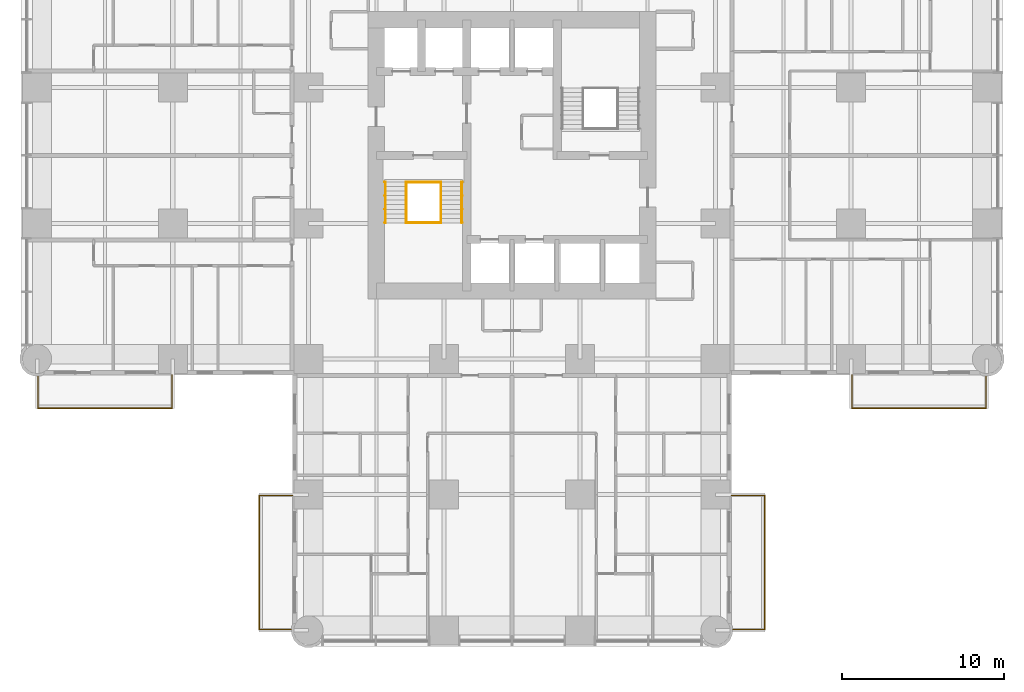
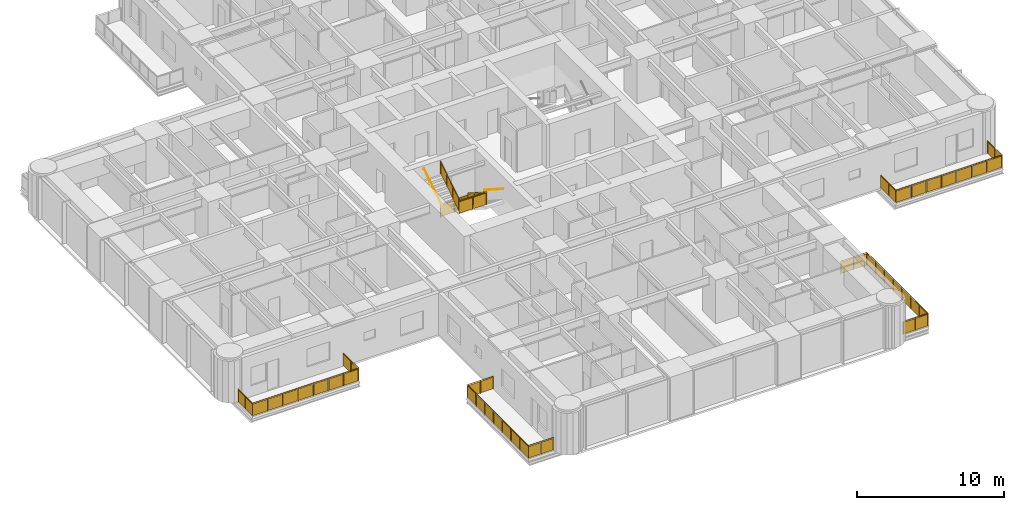
# One storey, part 16 of 17: 10 railings.
"""IFC4 building model written with IfcOpenShell, lengths in metres."""

from ifc_helpers import new_model, si_unit, direction, frame, origin, origin_2d, place, context, subcontext, project, spatial, polyline, circle, outline, extrude, material, constituent, constituent_set, type_object, element, save


model = new_model("IFC4")

# Units and contexts
model_context = context("Model", 3, precision=1e-05, world=origin(), true_north=direction((0.0, 1.0)))
body_context = subcontext(model_context, "Body", "Model", "MODEL_VIEW")
ifc_project = project(units=[si_unit("LENGTHUNIT", "METRE"), si_unit("AREAUNIT", "SQUARE_METRE"), si_unit("VOLUMEUNIT", "CUBIC_METRE"), si_unit("PLANEANGLEUNIT", "RADIAN"), si_unit("MASSUNIT", "GRAM", prefix="KILO")], contexts=[model_context])

# Site, building, storey
site_placement = place(None, origin())
site = spatial("IfcSite", under=ifc_project, at=site_placement, CompositionType="ELEMENT")
building_placement = place(site_placement, origin())
building = spatial("IfcBuilding", under=site, at=building_placement, Name="Torre Alcanfor", CompositionType="ELEMENT")
storey_placement = place(building_placement, frame((0.0, 0.0, 63.300048828125)))
storey = spatial("IfcBuildingStorey", under=building, at=storey_placement, Name="L15", CompositionType="ELEMENT", Elevation=63.300048828125)

# Railings
ifc_material_1 = material(Name="Laminated safety glass", Category="glass")
ifc_constituent_1 = constituent(ifc_material_1, Name="Infill")
ifc_material_2 = material(Name="Stainless steel ASTM A554 Grade MT 316L tube", Category="steel")
ifc_constituent_2 = constituent(ifc_material_2, Name="Posts and rail")
ifc_constituent_set = constituent_set(constituents=[ifc_constituent_1, ifc_constituent_2], Name="Balcony guard glass 1100")
railing_type_1 = type_object("IfcRailingType", Name="Balcony guard glass 1100", PredefinedType="BALUSTRADE", material=ifc_constituent_set)
railing_1_placement = place(storey_placement, frame((50.449951171875, 15.800048828125, 0.0)))
element("IfcRailing", 1, at=railing_1_placement, inside=storey, type_object=railing_type_1, Name="Balcony guard L15-E2", PredefinedType="BALUSTRADE", context=body_context, shape_type="SweptSolid", body=[
    extrude(circle(Radius=0.02392578125, at=origin_2d()), frame((0.0, 0.0, 1.076171875), z_axis=(0.0, -1.0, 0.0), x_axis=(1.0, 0.0, 0.0)), (0.0, 0.0, 1.0), 2.050048828125),
    extrude(circle(Radius=0.02392578125, at=origin_2d()), frame((0.0, -2.050048828125, 1.076171875), z_axis=(1.0, 0.0, 0.0), x_axis=(0.0, 1.0, 0.0)), (0.0, 0.0, 1.0), 8.300048828125),
    extrude(circle(Radius=0.02392578125, at=origin_2d()), frame((8.300048828125, -2.050048828125, 1.076171875), z_axis=(0.0, 1.0, 0.0), x_axis=(-1.0, 0.0, 0.0)), (0.0, 0.0, 1.0), 1.968994140625),
    extrude(circle(Radius=0.02099609375, at=origin_2d()), origin(), (0.0, 0.0, 1.0), 1.052001953125),
    extrude(circle(Radius=0.02099609375, at=origin_2d()), frame((0.0, -1.02490234375, 0.0)), (0.0, 0.0, 1.0), 1.052001953125),
    extrude(circle(Radius=0.02099609375, at=origin_2d()), frame((0.0, -2.050048828125, 0.0)), (0.0, 0.0, 1.0), 1.052001953125),
    extrude(circle(Radius=0.02099609375, at=origin_2d()), frame((1.185791015625, -2.050048828125, 0.0)), (0.0, 0.0, 1.0), 1.052001953125),
    extrude(circle(Radius=0.02099609375, at=origin_2d()), frame((2.371337890625, -2.050048828125, 0.0)), (0.0, 0.0, 1.0), 1.052001953125),
    extrude(circle(Radius=0.02099609375, at=origin_2d()), frame((3.55712890625, -2.050048828125, 0.0)), (0.0, 0.0, 1.0), 1.052001953125),
    extrude(circle(Radius=0.02099609375, at=origin_2d()), frame((4.742919921875, -2.050048828125, 0.0)), (0.0, 0.0, 1.0), 1.052001953125),
    extrude(circle(Radius=0.02099609375, at=origin_2d()), frame((5.9287109375, -2.050048828125, 0.0)), (0.0, 0.0, 1.0), 1.052001953125),
    extrude(circle(Radius=0.02099609375, at=origin_2d()), frame((7.1142578125, -2.050048828125, 0.0)), (0.0, 0.0, 1.0), 1.052001953125),
    extrude(circle(Radius=0.02099609375, at=origin_2d()), frame((8.300048828125, -2.050048828125, 0.0)), (0.0, 0.0, 1.0), 1.052001953125),
    extrude(circle(Radius=0.02099609375, at=origin_2d()), frame((8.300048828125, -1.0654296875, 0.0)), (0.0, 0.0, 1.0), 1.052001953125),
    extrude(circle(Radius=0.02099609375, at=origin_2d()), frame((8.300048828125, -0.0810546875, 0.0)), (0.0, 0.0, 1.0), 1.052001953125),
    extrude(outline(polyline([(0.041015625, 0.050048828125), (0.984130859375, 0.050048828125), (0.984130859375, 1.001953125), (0.041015625, 1.001953125), (0.041015625, 0.050048828125)])), frame((0.005859375, 0.0, 0.0), z_axis=(-1.0, 0.0, 0.0), x_axis=(0.0, -1.0, 0.0)), (0.0, 0.0, 1.0), 0.011962890625),
    extrude(outline(polyline([(1.06591796875, 0.050048828125), (2.009033203125, 0.050048828125), (2.009033203125, 1.001953125), (1.06591796875, 1.001953125), (1.06591796875, 0.050048828125)])), frame((0.005859375, 0.0, 0.0), z_axis=(-1.0, 0.0, 0.0), x_axis=(0.0, -1.0, 0.0)), (0.0, 0.0, 1.0), 0.011962890625),
    extrude(outline(polyline([(0.041015625, 0.050048828125), (1.144775390625, 0.050048828125), (1.144775390625, 1.001953125), (0.041015625, 1.001953125), (0.041015625, 0.050048828125)])), frame((0.0, -2.0439453125, 0.0), z_axis=(0.0, -1.0, 0.0), x_axis=(1.0, 0.0, 0.0)), (0.0, 0.0, 1.0), 0.011962890625),
    extrude(outline(polyline([(1.226806640625, 0.050048828125), (2.330322265625, 0.050048828125), (2.330322265625, 1.001953125), (1.226806640625, 1.001953125), (1.226806640625, 0.050048828125)])), frame((0.0, -2.0439453125, 0.0), z_axis=(0.0, -1.0, 0.0), x_axis=(1.0, 0.0, 0.0)), (0.0, 0.0, 1.0), 0.011962890625),
    extrude(outline(polyline([(2.412353515625, 0.050048828125), (3.51611328125, 0.050048828125), (3.51611328125, 1.001953125), (2.412353515625, 1.001953125), (2.412353515625, 0.050048828125)])), frame((0.0, -2.0439453125, 0.0), z_axis=(0.0, -1.0, 0.0), x_axis=(1.0, 0.0, 0.0)), (0.0, 0.0, 1.0), 0.011962890625),
    extrude(outline(polyline([(3.59814453125, 0.050048828125), (4.701904296875, 0.050048828125), (4.701904296875, 1.001953125), (3.59814453125, 1.001953125), (3.59814453125, 0.050048828125)])), frame((0.0, -2.0439453125, 0.0), z_axis=(0.0, -1.0, 0.0), x_axis=(1.0, 0.0, 0.0)), (0.0, 0.0, 1.0), 0.011962890625),
    extrude(outline(polyline([(4.783935546875, 0.050048828125), (5.8876953125, 0.050048828125), (5.8876953125, 1.001953125), (4.783935546875, 1.001953125), (4.783935546875, 0.050048828125)])), frame((0.0, -2.0439453125, 0.0), z_axis=(0.0, -1.0, 0.0), x_axis=(1.0, 0.0, 0.0)), (0.0, 0.0, 1.0), 0.011962890625),
    extrude(outline(polyline([(5.9697265625, 0.050048828125), (7.0732421875, 0.050048828125), (7.0732421875, 1.001953125), (5.9697265625, 1.001953125), (5.9697265625, 0.050048828125)])), frame((0.0, -2.0439453125, 0.0), z_axis=(0.0, -1.0, 0.0), x_axis=(1.0, 0.0, 0.0)), (0.0, 0.0, 1.0), 0.011962890625),
    extrude(outline(polyline([(7.1552734375, 0.050048828125), (8.259033203125, 0.050048828125), (8.259033203125, 1.001953125), (7.1552734375, 1.001953125), (7.1552734375, 0.050048828125)])), frame((0.0, -2.0439453125, 0.0), z_axis=(0.0, -1.0, 0.0), x_axis=(1.0, 0.0, 0.0)), (0.0, 0.0, 1.0), 0.011962890625),
    extrude(outline(polyline([(0.041015625, 0.050048828125), (0.943603515625, 0.050048828125), (0.943603515625, 1.001953125), (0.041015625, 1.001953125), (0.041015625, 0.050048828125)])), frame((8.2939453125, -2.050048828125, 0.0), z_axis=(1.0, 0.0, 0.0), x_axis=(0.0, 1.0, 0.0)), (0.0, 0.0, 1.0), 0.011962890625),
    extrude(outline(polyline([(1.025390625, 0.050048828125), (1.927978515625, 0.050048828125), (1.927978515625, 1.001953125), (1.025390625, 1.001953125), (1.025390625, 0.050048828125)])), frame((8.2939453125, -2.050048828125, 0.0), z_axis=(1.0, 0.0, 0.0), x_axis=(0.0, 1.0, 0.0)), (0.0, 0.0, 1.0), 0.011962890625),
])
railing_2_placement = place(storey_placement, frame((43.0, 8.35009765625, 0.0)))
element("IfcRailing", 2, at=railing_2_placement, inside=storey, type_object=railing_type_1, Name="Balcony guard L15-S1", PredefinedType="BALUSTRADE", context=body_context, shape_type="SweptSolid", body=[
    extrude(circle(Radius=0.02392578125, at=origin_2d()), frame((0.0, 0.0, 1.076171875), z_axis=(1.0, 0.0, 0.0), x_axis=(0.0, 1.0, 0.0)), (0.0, 0.0, 1.0), 2.050048828125),
    extrude(circle(Radius=0.02392578125, at=origin_2d()), frame((2.050048828125, 0.0, 1.076171875), z_axis=(0.0, -1.0, 0.0), x_axis=(1.0, 0.0, 0.0)), (0.0, 0.0, 1.0), 8.300048828125),
    extrude(circle(Radius=0.02392578125, at=origin_2d()), frame((2.050048828125, -8.300048828125, 1.076171875), z_axis=(-1.0, 0.0, 0.0), x_axis=(0.0, -1.0, 0.0)), (0.0, 0.0, 1.0), 1.968994140625),
    extrude(circle(Radius=0.02099609375, at=origin_2d()), origin(), (0.0, 0.0, 1.0), 1.052001953125),
    extrude(circle(Radius=0.02099609375, at=origin_2d()), frame((1.02490234375, 0.0, 0.0)), (0.0, 0.0, 1.0), 1.052001953125),
    extrude(circle(Radius=0.02099609375, at=origin_2d()), frame((2.050048828125, 0.0, 0.0)), (0.0, 0.0, 1.0), 1.052001953125),
    extrude(circle(Radius=0.02099609375, at=origin_2d()), frame((2.050048828125, -1.185791015625, 0.0)), (0.0, 0.0, 1.0), 1.052001953125),
    extrude(circle(Radius=0.02099609375, at=origin_2d()), frame((2.050048828125, -2.371337890625, 0.0)), (0.0, 0.0, 1.0), 1.052001953125),
    extrude(circle(Radius=0.02099609375, at=origin_2d()), frame((2.050048828125, -3.55712890625, 0.0)), (0.0, 0.0, 1.0), 1.052001953125),
    extrude(circle(Radius=0.02099609375, at=origin_2d()), frame((2.050048828125, -4.742919921875, 0.0)), (0.0, 0.0, 1.0), 1.052001953125),
    extrude(circle(Radius=0.02099609375, at=origin_2d()), frame((2.050048828125, -5.9287109375, 0.0)), (0.0, 0.0, 1.0), 1.052001953125),
    extrude(circle(Radius=0.02099609375, at=origin_2d()), frame((2.050048828125, -7.1142578125, 0.0)), (0.0, 0.0, 1.0), 1.052001953125),
    extrude(circle(Radius=0.02099609375, at=origin_2d()), frame((2.050048828125, -8.300048828125, 0.0)), (0.0, 0.0, 1.0), 1.052001953125),
    extrude(circle(Radius=0.02099609375, at=origin_2d()), frame((1.0654296875, -8.300048828125, 0.0)), (0.0, 0.0, 1.0), 1.052001953125),
    extrude(circle(Radius=0.02099609375, at=origin_2d()), frame((0.0810546875, -8.300048828125, 0.0)), (0.0, 0.0, 1.0), 1.052001953125),
    extrude(outline(polyline([(0.041015625, 0.050048828125), (0.984130859375, 0.050048828125), (0.984130859375, 1.001953125), (0.041015625, 1.001953125), (0.041015625, 0.050048828125)])), frame((0.0, 0.005859375, 0.0), z_axis=(0.0, -1.0, 0.0), x_axis=(1.0, 0.0, 0.0)), (0.0, 0.0, 1.0), 0.011962890625),
    extrude(outline(polyline([(1.06591796875, 0.050048828125), (2.009033203125, 0.050048828125), (2.009033203125, 1.001953125), (1.06591796875, 1.001953125), (1.06591796875, 0.050048828125)])), frame((0.0, 0.005859375, 0.0), z_axis=(0.0, -1.0, 0.0), x_axis=(1.0, 0.0, 0.0)), (0.0, 0.0, 1.0), 0.011962890625),
    extrude(outline(polyline([(0.041015625, 0.050048828125), (1.144775390625, 0.050048828125), (1.144775390625, 1.001953125), (0.041015625, 1.001953125), (0.041015625, 0.050048828125)])), frame((2.05615234375, 0.0, 0.0), z_axis=(-1.0, 0.0, 0.0), x_axis=(0.0, -1.0, 0.0)), (0.0, 0.0, 1.0), 0.011962890625),
    extrude(outline(polyline([(1.226806640625, 0.050048828125), (2.330322265625, 0.050048828125), (2.330322265625, 1.001953125), (1.226806640625, 1.001953125), (1.226806640625, 0.050048828125)])), frame((2.05615234375, 0.0, 0.0), z_axis=(-1.0, 0.0, 0.0), x_axis=(0.0, -1.0, 0.0)), (0.0, 0.0, 1.0), 0.011962890625),
    extrude(outline(polyline([(2.412353515625, 0.050048828125), (3.51611328125, 0.050048828125), (3.51611328125, 1.001953125), (2.412353515625, 1.001953125), (2.412353515625, 0.050048828125)])), frame((2.05615234375, 0.0, 0.0), z_axis=(-1.0, 0.0, 0.0), x_axis=(0.0, -1.0, 0.0)), (0.0, 0.0, 1.0), 0.011962890625),
    extrude(outline(polyline([(3.59814453125, 0.050048828125), (4.701904296875, 0.050048828125), (4.701904296875, 1.001953125), (3.59814453125, 1.001953125), (3.59814453125, 0.050048828125)])), frame((2.05615234375, 0.0, 0.0), z_axis=(-1.0, 0.0, 0.0), x_axis=(0.0, -1.0, 0.0)), (0.0, 0.0, 1.0), 0.011962890625),
    extrude(outline(polyline([(4.783935546875, 0.050048828125), (5.8876953125, 0.050048828125), (5.8876953125, 1.001953125), (4.783935546875, 1.001953125), (4.783935546875, 0.050048828125)])), frame((2.05615234375, 0.0, 0.0), z_axis=(-1.0, 0.0, 0.0), x_axis=(0.0, -1.0, 0.0)), (0.0, 0.0, 1.0), 0.011962890625),
    extrude(outline(polyline([(5.9697265625, 0.050048828125), (7.0732421875, 0.050048828125), (7.0732421875, 1.001953125), (5.9697265625, 1.001953125), (5.9697265625, 0.050048828125)])), frame((2.05615234375, 0.0, 0.0), z_axis=(-1.0, 0.0, 0.0), x_axis=(0.0, -1.0, 0.0)), (0.0, 0.0, 1.0), 0.011962890625),
    extrude(outline(polyline([(7.1552734375, 0.050048828125), (8.259033203125, 0.050048828125), (8.259033203125, 1.001953125), (7.1552734375, 1.001953125), (7.1552734375, 0.050048828125)])), frame((2.05615234375, 0.0, 0.0), z_axis=(-1.0, 0.0, 0.0), x_axis=(0.0, -1.0, 0.0)), (0.0, 0.0, 1.0), 0.011962890625),
    extrude(outline(polyline([(0.041015625, 0.050048828125), (0.943603515625, 0.050048828125), (0.943603515625, 1.001953125), (0.041015625, 1.001953125), (0.041015625, 0.050048828125)])), frame((2.050048828125, -8.30615234375, 0.0), z_axis=(0.0, 1.0, 0.0), x_axis=(-1.0, 0.0, 0.0)), (0.0, 0.0, 1.0), 0.011962890625),
    extrude(outline(polyline([(1.025390625, 0.050048828125), (1.927978515625, 0.050048828125), (1.927978515625, 1.001953125), (1.025390625, 1.001953125), (1.025390625, 0.050048828125)])), frame((2.050048828125, -8.30615234375, 0.0), z_axis=(0.0, 1.0, 0.0), x_axis=(-1.0, 0.0, 0.0)), (0.0, 0.0, 1.0), 0.011962890625),
])
railing_3_placement = place(storey_placement, frame((15.800048828125, 8.35009765625, 0.0)))
element("IfcRailing", 3, at=railing_3_placement, inside=storey, type_object=railing_type_1, Name="Balcony guard L15-S2", PredefinedType="BALUSTRADE", context=body_context, shape_type="SweptSolid", body=[
    extrude(circle(Radius=0.02392578125, at=origin_2d()), frame((0.0, 0.0, 1.076171875), z_axis=(-1.0, 0.0, 0.0), x_axis=(0.0, -1.0, 0.0)), (0.0, 0.0, 1.0), 2.050048828125),
    extrude(circle(Radius=0.02392578125, at=origin_2d()), frame((-2.050048828125, 0.0, 1.076171875), z_axis=(0.0, -1.0, 0.0), x_axis=(1.0, 0.0, 0.0)), (0.0, 0.0, 1.0), 8.300048828125),
    extrude(circle(Radius=0.02392578125, at=origin_2d()), frame((-2.050048828125, -8.300048828125, 1.076171875), z_axis=(1.0, 0.0, 0.0), x_axis=(0.0, 1.0, 0.0)), (0.0, 0.0, 1.0), 1.968994140625),
    extrude(circle(Radius=0.02099609375, at=origin_2d()), origin(), (0.0, 0.0, 1.0), 1.052001953125),
    extrude(circle(Radius=0.02099609375, at=origin_2d()), frame((-1.02490234375, 0.0, 0.0)), (0.0, 0.0, 1.0), 1.052001953125),
    extrude(circle(Radius=0.02099609375, at=origin_2d()), frame((-2.050048828125, 0.0, 0.0)), (0.0, 0.0, 1.0), 1.052001953125),
    extrude(circle(Radius=0.02099609375, at=origin_2d()), frame((-2.050048828125, -1.185791015625, 0.0)), (0.0, 0.0, 1.0), 1.052001953125),
    extrude(circle(Radius=0.02099609375, at=origin_2d()), frame((-2.050048828125, -2.371337890625, 0.0)), (0.0, 0.0, 1.0), 1.052001953125),
    extrude(circle(Radius=0.02099609375, at=origin_2d()), frame((-2.050048828125, -3.55712890625, 0.0)), (0.0, 0.0, 1.0), 1.052001953125),
    extrude(circle(Radius=0.02099609375, at=origin_2d()), frame((-2.050048828125, -4.742919921875, 0.0)), (0.0, 0.0, 1.0), 1.052001953125),
    extrude(circle(Radius=0.02099609375, at=origin_2d()), frame((-2.050048828125, -5.9287109375, 0.0)), (0.0, 0.0, 1.0), 1.052001953125),
    extrude(circle(Radius=0.02099609375, at=origin_2d()), frame((-2.050048828125, -7.1142578125, 0.0)), (0.0, 0.0, 1.0), 1.052001953125),
    extrude(circle(Radius=0.02099609375, at=origin_2d()), frame((-2.050048828125, -8.300048828125, 0.0)), (0.0, 0.0, 1.0), 1.052001953125),
    extrude(circle(Radius=0.02099609375, at=origin_2d()), frame((-1.0654296875, -8.300048828125, 0.0)), (0.0, 0.0, 1.0), 1.052001953125),
    extrude(circle(Radius=0.02099609375, at=origin_2d()), frame((-0.0810546875, -8.300048828125, 0.0)), (0.0, 0.0, 1.0), 1.052001953125),
    extrude(outline(polyline([(0.041015625, 0.050048828125), (0.984130859375, 0.050048828125), (0.984130859375, 1.001953125), (0.041015625, 1.001953125), (0.041015625, 0.050048828125)])), frame((0.0, -0.005859375, 0.0), z_axis=(0.0, 1.0, 0.0), x_axis=(-1.0, 0.0, 0.0)), (0.0, 0.0, 1.0), 0.011962890625),
    extrude(outline(polyline([(1.06591796875, 0.050048828125), (2.009033203125, 0.050048828125), (2.009033203125, 1.001953125), (1.06591796875, 1.001953125), (1.06591796875, 0.050048828125)])), frame((0.0, -0.005859375, 0.0), z_axis=(0.0, 1.0, 0.0), x_axis=(-1.0, 0.0, 0.0)), (0.0, 0.0, 1.0), 0.011962890625),
    extrude(outline(polyline([(0.041015625, 0.050048828125), (1.144775390625, 0.050048828125), (1.144775390625, 1.001953125), (0.041015625, 1.001953125), (0.041015625, 0.050048828125)])), frame((-2.0439453125, 0.0, 0.0), z_axis=(-1.0, 0.0, 0.0), x_axis=(0.0, -1.0, 0.0)), (0.0, 0.0, 1.0), 0.011962890625),
    extrude(outline(polyline([(1.226806640625, 0.050048828125), (2.330322265625, 0.050048828125), (2.330322265625, 1.001953125), (1.226806640625, 1.001953125), (1.226806640625, 0.050048828125)])), frame((-2.0439453125, 0.0, 0.0), z_axis=(-1.0, 0.0, 0.0), x_axis=(0.0, -1.0, 0.0)), (0.0, 0.0, 1.0), 0.011962890625),
    extrude(outline(polyline([(2.412353515625, 0.050048828125), (3.51611328125, 0.050048828125), (3.51611328125, 1.001953125), (2.412353515625, 1.001953125), (2.412353515625, 0.050048828125)])), frame((-2.0439453125, 0.0, 0.0), z_axis=(-1.0, 0.0, 0.0), x_axis=(0.0, -1.0, 0.0)), (0.0, 0.0, 1.0), 0.011962890625),
    extrude(outline(polyline([(3.59814453125, 0.050048828125), (4.701904296875, 0.050048828125), (4.701904296875, 1.001953125), (3.59814453125, 1.001953125), (3.59814453125, 0.050048828125)])), frame((-2.0439453125, 0.0, 0.0), z_axis=(-1.0, 0.0, 0.0), x_axis=(0.0, -1.0, 0.0)), (0.0, 0.0, 1.0), 0.011962890625),
    extrude(outline(polyline([(4.783935546875, 0.050048828125), (5.8876953125, 0.050048828125), (5.8876953125, 1.001953125), (4.783935546875, 1.001953125), (4.783935546875, 0.050048828125)])), frame((-2.0439453125, 0.0, 0.0), z_axis=(-1.0, 0.0, 0.0), x_axis=(0.0, -1.0, 0.0)), (0.0, 0.0, 1.0), 0.011962890625),
    extrude(outline(polyline([(5.9697265625, 0.050048828125), (7.0732421875, 0.050048828125), (7.0732421875, 1.001953125), (5.9697265625, 1.001953125), (5.9697265625, 0.050048828125)])), frame((-2.0439453125, 0.0, 0.0), z_axis=(-1.0, 0.0, 0.0), x_axis=(0.0, -1.0, 0.0)), (0.0, 0.0, 1.0), 0.011962890625),
    extrude(outline(polyline([(7.1552734375, 0.050048828125), (8.259033203125, 0.050048828125), (8.259033203125, 1.001953125), (7.1552734375, 1.001953125), (7.1552734375, 0.050048828125)])), frame((-2.0439453125, 0.0, 0.0), z_axis=(-1.0, 0.0, 0.0), x_axis=(0.0, -1.0, 0.0)), (0.0, 0.0, 1.0), 0.011962890625),
    extrude(outline(polyline([(0.041015625, 0.050048828125), (0.943603515625, 0.050048828125), (0.943603515625, 1.001953125), (0.041015625, 1.001953125), (0.041015625, 0.050048828125)])), frame((-2.050048828125, -8.2939453125, 0.0), z_axis=(0.0, -1.0, 0.0), x_axis=(1.0, 0.0, 0.0)), (0.0, 0.0, 1.0), 0.011962890625),
    extrude(outline(polyline([(1.025390625, 0.050048828125), (1.927978515625, 0.050048828125), (1.927978515625, 1.001953125), (1.025390625, 1.001953125), (1.025390625, 0.050048828125)])), frame((-2.050048828125, -8.2939453125, 0.0), z_axis=(0.0, -1.0, 0.0), x_axis=(1.0, 0.0, 0.0)), (0.0, 0.0, 1.0), 0.011962890625),
])
railing_4_placement = place(storey_placement, frame((8.35009765625, 15.800048828125, 0.0)))
element("IfcRailing", 4, at=railing_4_placement, inside=storey, type_object=railing_type_1, Name="Balcony guard L15-W1", PredefinedType="BALUSTRADE", context=body_context, shape_type="SweptSolid", body=[
    extrude(circle(Radius=0.02392578125, at=origin_2d()), frame((0.0, 0.0, 1.076171875), z_axis=(0.0, -1.0, 0.0), x_axis=(1.0, 0.0, 0.0)), (0.0, 0.0, 1.0), 2.050048828125),
    extrude(circle(Radius=0.02392578125, at=origin_2d()), frame((0.0, -2.050048828125, 1.076171875), z_axis=(-1.0, 0.0, 0.0), x_axis=(0.0, -1.0, 0.0)), (0.0, 0.0, 1.0), 8.300048828125),
    extrude(circle(Radius=0.02392578125, at=origin_2d()), frame((-8.300048828125, -2.050048828125, 1.076171875), z_axis=(0.0, 1.0, 0.0), x_axis=(-1.0, 0.0, 0.0)), (0.0, 0.0, 1.0), 1.968994140625),
    extrude(circle(Radius=0.02099609375, at=origin_2d()), origin(), (0.0, 0.0, 1.0), 1.052001953125),
    extrude(circle(Radius=0.02099609375, at=origin_2d()), frame((0.0, -1.02490234375, 0.0)), (0.0, 0.0, 1.0), 1.052001953125),
    extrude(circle(Radius=0.02099609375, at=origin_2d()), frame((0.0, -2.050048828125, 0.0)), (0.0, 0.0, 1.0), 1.052001953125),
    extrude(circle(Radius=0.02099609375, at=origin_2d()), frame((-1.185791015625, -2.050048828125, 0.0)), (0.0, 0.0, 1.0), 1.052001953125),
    extrude(circle(Radius=0.02099609375, at=origin_2d()), frame((-2.371337890625, -2.050048828125, 0.0)), (0.0, 0.0, 1.0), 1.052001953125),
    extrude(circle(Radius=0.02099609375, at=origin_2d()), frame((-3.55712890625, -2.050048828125, 0.0)), (0.0, 0.0, 1.0), 1.052001953125),
    extrude(circle(Radius=0.02099609375, at=origin_2d()), frame((-4.742919921875, -2.050048828125, 0.0)), (0.0, 0.0, 1.0), 1.052001953125),
    extrude(circle(Radius=0.02099609375, at=origin_2d()), frame((-5.9287109375, -2.050048828125, 0.0)), (0.0, 0.0, 1.0), 1.052001953125),
    extrude(circle(Radius=0.02099609375, at=origin_2d()), frame((-7.1142578125, -2.050048828125, 0.0)), (0.0, 0.0, 1.0), 1.052001953125),
    extrude(circle(Radius=0.02099609375, at=origin_2d()), frame((-8.300048828125, -2.050048828125, 0.0)), (0.0, 0.0, 1.0), 1.052001953125),
    extrude(circle(Radius=0.02099609375, at=origin_2d()), frame((-8.300048828125, -1.0654296875, 0.0)), (0.0, 0.0, 1.0), 1.052001953125),
    extrude(circle(Radius=0.02099609375, at=origin_2d()), frame((-8.300048828125, -0.0810546875, 0.0)), (0.0, 0.0, 1.0), 1.052001953125),
    extrude(outline(polyline([(0.041015625, 0.050048828125), (0.984130859375, 0.050048828125), (0.984130859375, 1.001953125), (0.041015625, 1.001953125), (0.041015625, 0.050048828125)])), frame((0.005859375, 0.0, 0.0), z_axis=(-1.0, 0.0, 0.0), x_axis=(0.0, -1.0, 0.0)), (0.0, 0.0, 1.0), 0.011962890625),
    extrude(outline(polyline([(1.06591796875, 0.050048828125), (2.009033203125, 0.050048828125), (2.009033203125, 1.001953125), (1.06591796875, 1.001953125), (1.06591796875, 0.050048828125)])), frame((0.005859375, 0.0, 0.0), z_axis=(-1.0, 0.0, 0.0), x_axis=(0.0, -1.0, 0.0)), (0.0, 0.0, 1.0), 0.011962890625),
    extrude(outline(polyline([(0.041015625, 0.050048828125), (1.144775390625, 0.050048828125), (1.144775390625, 1.001953125), (0.041015625, 1.001953125), (0.041015625, 0.050048828125)])), frame((0.0, -2.05615234375, 0.0), z_axis=(0.0, 1.0, 0.0), x_axis=(-1.0, 0.0, 0.0)), (0.0, 0.0, 1.0), 0.011962890625),
    extrude(outline(polyline([(1.226806640625, 0.050048828125), (2.330322265625, 0.050048828125), (2.330322265625, 1.001953125), (1.226806640625, 1.001953125), (1.226806640625, 0.050048828125)])), frame((0.0, -2.05615234375, 0.0), z_axis=(0.0, 1.0, 0.0), x_axis=(-1.0, 0.0, 0.0)), (0.0, 0.0, 1.0), 0.011962890625),
    extrude(outline(polyline([(2.412353515625, 0.050048828125), (3.51611328125, 0.050048828125), (3.51611328125, 1.001953125), (2.412353515625, 1.001953125), (2.412353515625, 0.050048828125)])), frame((0.0, -2.05615234375, 0.0), z_axis=(0.0, 1.0, 0.0), x_axis=(-1.0, 0.0, 0.0)), (0.0, 0.0, 1.0), 0.011962890625),
    extrude(outline(polyline([(3.59814453125, 0.050048828125), (4.701904296875, 0.050048828125), (4.701904296875, 1.001953125), (3.59814453125, 1.001953125), (3.59814453125, 0.050048828125)])), frame((0.0, -2.05615234375, 0.0), z_axis=(0.0, 1.0, 0.0), x_axis=(-1.0, 0.0, 0.0)), (0.0, 0.0, 1.0), 0.011962890625),
    extrude(outline(polyline([(4.783935546875, 0.050048828125), (5.8876953125, 0.050048828125), (5.8876953125, 1.001953125), (4.783935546875, 1.001953125), (4.783935546875, 0.050048828125)])), frame((0.0, -2.05615234375, 0.0), z_axis=(0.0, 1.0, 0.0), x_axis=(-1.0, 0.0, 0.0)), (0.0, 0.0, 1.0), 0.011962890625),
    extrude(outline(polyline([(5.9697265625, 0.050048828125), (7.0732421875, 0.050048828125), (7.0732421875, 1.001953125), (5.9697265625, 1.001953125), (5.9697265625, 0.050048828125)])), frame((0.0, -2.05615234375, 0.0), z_axis=(0.0, 1.0, 0.0), x_axis=(-1.0, 0.0, 0.0)), (0.0, 0.0, 1.0), 0.011962890625),
    extrude(outline(polyline([(7.1552734375, 0.050048828125), (8.259033203125, 0.050048828125), (8.259033203125, 1.001953125), (7.1552734375, 1.001953125), (7.1552734375, 0.050048828125)])), frame((0.0, -2.05615234375, 0.0), z_axis=(0.0, 1.0, 0.0), x_axis=(-1.0, 0.0, 0.0)), (0.0, 0.0, 1.0), 0.011962890625),
    extrude(outline(polyline([(0.041015625, 0.050048828125), (0.943603515625, 0.050048828125), (0.943603515625, 1.001953125), (0.041015625, 1.001953125), (0.041015625, 0.050048828125)])), frame((-8.30615234375, -2.050048828125, 0.0), z_axis=(1.0, 0.0, 0.0), x_axis=(0.0, 1.0, 0.0)), (0.0, 0.0, 1.0), 0.011962890625),
    extrude(outline(polyline([(1.025390625, 0.050048828125), (1.927978515625, 0.050048828125), (1.927978515625, 1.001953125), (1.025390625, 1.001953125), (1.025390625, 0.050048828125)])), frame((-8.30615234375, -2.050048828125, 0.0), z_axis=(1.0, 0.0, 0.0), x_axis=(0.0, 1.0, 0.0)), (0.0, 0.0, 1.0), 0.011962890625),
])
ifc_material_3 = material(Name="Steel ASTM A500 Grade C hollow sections", Category="steel")
railing_type_2 = type_object("IfcRailingType", Name="Stair guard and handrail 1100", PredefinedType="GUARDRAIL", material=ifc_material_3)
railing_5_placement = place(storey_placement, frame((25.0, 27.75, 0.179931640625)))
element("IfcRailing", 5, at=railing_5_placement, inside=storey, type_object=railing_type_2, Name="Stair guard S1 L15 flight 1", PredefinedType="GUARDRAIL", context=body_context, shape_type="SweptSolid", body=[
    extrude(circle(Radius=0.02392578125, at=origin_2d()), frame((0.0, 0.0, 1.076171875), z_axis=(0.0, -0.841162588446, 0.540782303519), x_axis=(1.0, 0.0, 0.0)), (0.0, 0.0, 1.0), 2.995849609375),
    extrude(circle(Radius=0.02099609375, at=origin_2d()), origin(), (0.0, 0.0, 1.0), 1.052001953125),
    extrude(circle(Radius=0.02099609375, at=origin_2d()), frame((0.0, -0.840087890625, 0.5400390625)), (0.0, 0.0, 1.0), 1.052001953125),
    extrude(circle(Radius=0.02099609375, at=origin_2d()), frame((0.0, -1.679931640625, 1.080078125)), (0.0, 0.0, 1.0), 1.052001953125),
    extrude(circle(Radius=0.02099609375, at=origin_2d()), frame((0.0, -2.52001953125, 1.6201171875)), (0.0, 0.0, 1.0), 1.052001953125),
    extrude(outline(polyline([(0.041015625, 0.076416015625), (0.799072265625, 0.563720703125), (0.799072265625, 1.515625), (0.041015625, 1.0283203125), (0.041015625, 0.076416015625)])), frame((0.005859375, 0.0, 0.0), z_axis=(-1.0, 0.0, 0.0), x_axis=(0.0, -1.0, 0.0)), (0.0, 0.0, 1.0), 0.011962890625),
    extrude(outline(polyline([(0.881103515625, 0.616455078125), (1.638916015625, 1.103759765625), (1.638916015625, 2.0556640625), (0.881103515625, 1.568359375), (0.881103515625, 0.616455078125)])), frame((0.005859375, 0.0, 0.0), z_axis=(-1.0, 0.0, 0.0), x_axis=(0.0, -1.0, 0.0)), (0.0, 0.0, 1.0), 0.011962890625),
    extrude(outline(polyline([(1.720947265625, 1.156494140625), (2.47900390625, 1.643798828125), (2.47900390625, 2.595703125), (1.720947265625, 2.1083984375), (1.720947265625, 1.156494140625)])), frame((0.005859375, 0.0, 0.0), z_axis=(-1.0, 0.0, 0.0), x_axis=(0.0, -1.0, 0.0)), (0.0, 0.0, 1.0), 0.011962890625),
])
railing_6_placement = place(storey_placement, frame((22.85009765625, 25.22998046875, 1.97998046875)))
element("IfcRailing", 6, at=railing_6_placement, inside=storey, type_object=railing_type_2, Name="Stair guard S1 L15 flight 2", PredefinedType="GUARDRAIL", context=body_context, shape_type="SweptSolid", body=[
    extrude(circle(Radius=0.02392578125, at=origin_2d()), frame((0.0, 0.0, 1.076171875), z_axis=(0.0, 0.841199657755, 0.540724639528), x_axis=(-1.0, 0.0, 0.0)), (0.0, 0.0, 1.0), 2.995849609375),
    extrude(circle(Radius=0.02099609375, at=origin_2d()), origin(), (0.0, 0.0, 1.0), 1.052001953125),
    extrude(circle(Radius=0.02099609375, at=origin_2d()), frame((0.0, 0.840087890625, 0.5400390625)), (0.0, 0.0, 1.0), 1.052001953125),
    extrude(circle(Radius=0.02099609375, at=origin_2d()), frame((0.0, 1.679931640625, 1.079833984375)), (0.0, 0.0, 1.0), 1.052001953125),
    extrude(circle(Radius=0.02099609375, at=origin_2d()), frame((0.0, 2.52001953125, 1.619873046875)), (0.0, 0.0, 1.0), 1.052001953125),
    extrude(outline(polyline([(0.041015625, 0.076416015625), (0.799072265625, 0.563720703125), (0.799072265625, 1.515625), (0.041015625, 1.0283203125), (0.041015625, 0.076416015625)])), frame((-0.005859375, 0.0, 0.0), z_axis=(1.0, 0.0, 0.0), x_axis=(0.0, 1.0, 0.0)), (0.0, 0.0, 1.0), 0.011962890625),
    extrude(outline(polyline([(0.881103515625, 0.6162109375), (1.638916015625, 1.103515625), (1.638916015625, 2.0556640625), (0.881103515625, 1.568359375), (0.881103515625, 0.6162109375)])), frame((-0.005859375, 0.0, 0.0), z_axis=(1.0, 0.0, 0.0), x_axis=(0.0, 1.0, 0.0)), (0.0, 0.0, 1.0), 0.011962890625),
    extrude(outline(polyline([(1.720947265625, 1.15625), (2.47900390625, 1.6435546875), (2.47900390625, 2.595458984375), (1.720947265625, 2.108154296875), (1.720947265625, 1.15625)])), frame((-0.005859375, 0.0, 0.0), z_axis=(1.0, 0.0, 0.0), x_axis=(0.0, 1.0, 0.0)), (0.0, 0.0, 1.0), 0.011962890625),
])
for number, where, name in (
    (7, (22.85009765625, 27.75, 0.0), "Stair well guard S1 L15 floor landing"),
    (8, (22.85009765625, 25.22998046875, 1.800048828125), "Stair well guard S1 L15 half landing"),
):
    element("IfcRailing", number, at=place(storey_placement, frame(where)), inside=storey, type_object=railing_type_2, Name=name, PredefinedType="GUARDRAIL", context=body_context, shape_type="SweptSolid", body=[
        extrude(circle(Radius=0.02392578125, at=origin_2d()), frame((0.0, 0.0, 1.076171875), z_axis=(1.0, 0.0, 0.0), x_axis=(0.0, 1.0, 0.0)), (0.0, 0.0, 1.0), 2.14990234375),
        extrude(circle(Radius=0.02099609375, at=origin_2d()), origin(), (0.0, 0.0, 1.0), 1.052001953125),
        extrude(circle(Radius=0.02099609375, at=origin_2d()), frame((1.074951171875, 0.0, 0.0)), (0.0, 0.0, 1.0), 1.052001953125),
        extrude(circle(Radius=0.02099609375, at=origin_2d()), frame((2.14990234375, 0.0, 0.0)), (0.0, 0.0, 1.0), 1.052001953125),
        extrude(outline(polyline([(0.041015625, 0.050048828125), (1.033935546875, 0.050048828125), (1.033935546875, 1.001953125), (0.041015625, 1.001953125), (0.041015625, 0.050048828125)])), frame((0.0, 0.005859375, 0.0), z_axis=(0.0, -1.0, 0.0), x_axis=(1.0, 0.0, 0.0)), (0.0, 0.0, 1.0), 0.011962890625),
        extrude(outline(polyline([(1.115966796875, 0.050048828125), (2.10888671875, 0.050048828125), (2.10888671875, 1.001953125), (1.115966796875, 1.001953125), (1.115966796875, 0.050048828125)])), frame((0.0, 0.005859375, 0.0), z_axis=(0.0, -1.0, 0.0), x_axis=(1.0, 0.0, 0.0)), (0.0, 0.0, 1.0), 0.011962890625),
    ])
ifc_material_4 = material(Name="Steel ASTM A500 Grade C hollow sections", Category="steel")
railing_type_3 = type_object("IfcRailingType", Name="Stair wall handrail 900", PredefinedType="HANDRAIL", material=ifc_material_4)
railing_7_placement = place(storey_placement, frame((26.284912109375, 27.75, 0.179931640625)))
element("IfcRailing", 9, at=railing_7_placement, inside=storey, type_object=railing_type_3, Name="Stair handrail S1 L15 flight 1", PredefinedType="HANDRAIL", context=body_context, shape_type="SweptSolid", body=[
    extrude(circle(Radius=0.02392578125, at=origin_2d()), frame((0.0, 0.0, 0.8759765625), z_axis=(0.0, -0.841162588446, 0.540782303519), x_axis=(1.0, 0.0, 0.0)), (0.0, 0.0, 1.0), 2.995849609375),
    extrude(circle(Radius=0.008056640625, at=origin_2d()), frame((0.0, 0.0, 0.8759765625), z_axis=(1.0, 0.0, 0.0), x_axis=(0.0, 0.0, 1.0)), (0.0, 0.0, 1.0), 0.06494140625),
    extrude(circle(Radius=0.008056640625, at=origin_2d()), frame((0.0, -0.840087890625, 1.416015625), z_axis=(1.0, 0.0, 0.0), x_axis=(0.0, 0.0, 1.0)), (0.0, 0.0, 1.0), 0.06494140625),
    extrude(circle(Radius=0.008056640625, at=origin_2d()), frame((0.0, -1.679931640625, 1.9560546875), z_axis=(1.0, 0.0, 0.0), x_axis=(0.0, 0.0, 1.0)), (0.0, 0.0, 1.0), 0.06494140625),
    extrude(circle(Radius=0.008056640625, at=origin_2d()), frame((0.0, -2.52001953125, 2.49609375), z_axis=(1.0, 0.0, 0.0), x_axis=(0.0, 0.0, 1.0)), (0.0, 0.0, 1.0), 0.06494140625),
])
railing_8_placement = place(storey_placement, frame((21.56494140625, 25.22998046875, 1.97998046875)))
element("IfcRailing", 10, at=railing_8_placement, inside=storey, type_object=railing_type_3, Name="Stair handrail S1 L15 flight 2", PredefinedType="HANDRAIL", context=body_context, shape_type="SweptSolid", body=[
    extrude(circle(Radius=0.02392578125, at=origin_2d()), frame((0.0, 0.0, 0.8759765625), z_axis=(0.0, 0.841199657755, 0.540724639528), x_axis=(-1.0, 0.0, 0.0)), (0.0, 0.0, 1.0), 2.995849609375),
    extrude(circle(Radius=0.008056640625, at=origin_2d()), frame((0.0, 0.0, 0.8759765625), z_axis=(-1.0, 0.0, 0.0), x_axis=(0.0, 0.0, 1.0)), (0.0, 0.0, 1.0), 0.06494140625),
    extrude(circle(Radius=0.008056640625, at=origin_2d()), frame((0.0, 0.840087890625, 1.415771484375), z_axis=(-1.0, 0.0, 0.0), x_axis=(0.0, 0.0, 1.0)), (0.0, 0.0, 1.0), 0.06494140625),
    extrude(circle(Radius=0.008056640625, at=origin_2d()), frame((0.0, 1.679931640625, 1.955810546875), z_axis=(-1.0, 0.0, 0.0), x_axis=(0.0, 0.0, 1.0)), (0.0, 0.0, 1.0), 0.06494140625),
    extrude(circle(Radius=0.008056640625, at=origin_2d()), frame((0.0, 2.52001953125, 2.49560546875), z_axis=(-1.0, 0.0, 0.0), x_axis=(0.0, 0.0, 1.0)), (0.0, 0.0, 1.0), 0.06494140625),
])

save(model, "model.ifc")
